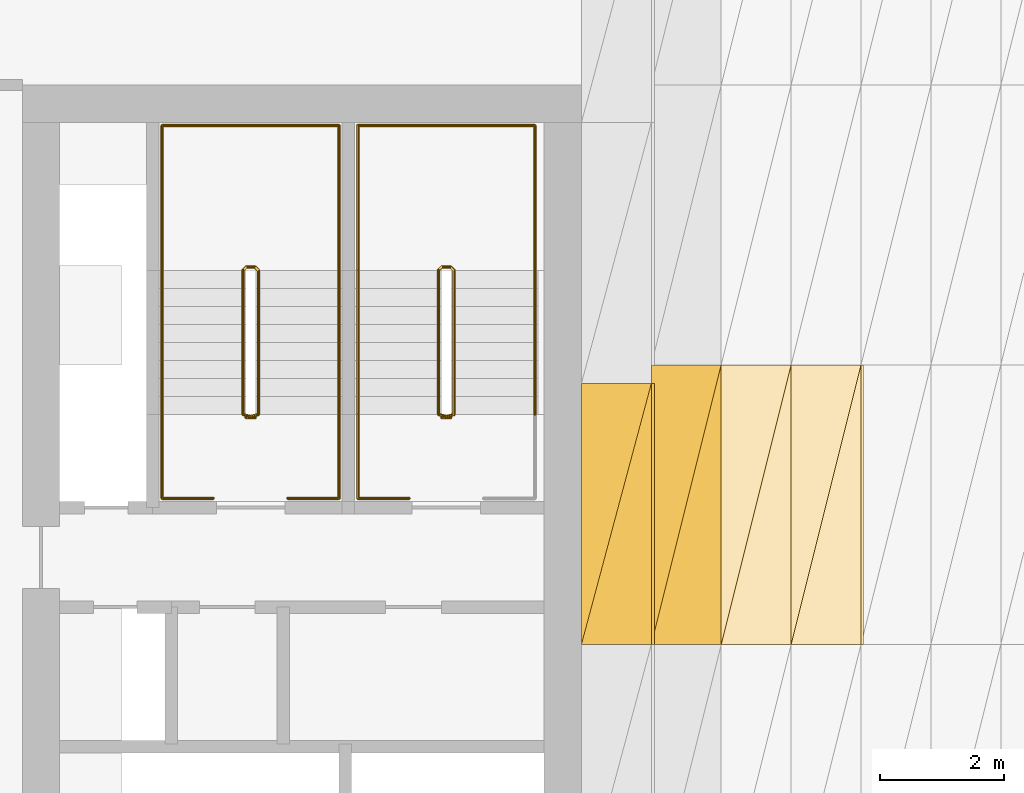
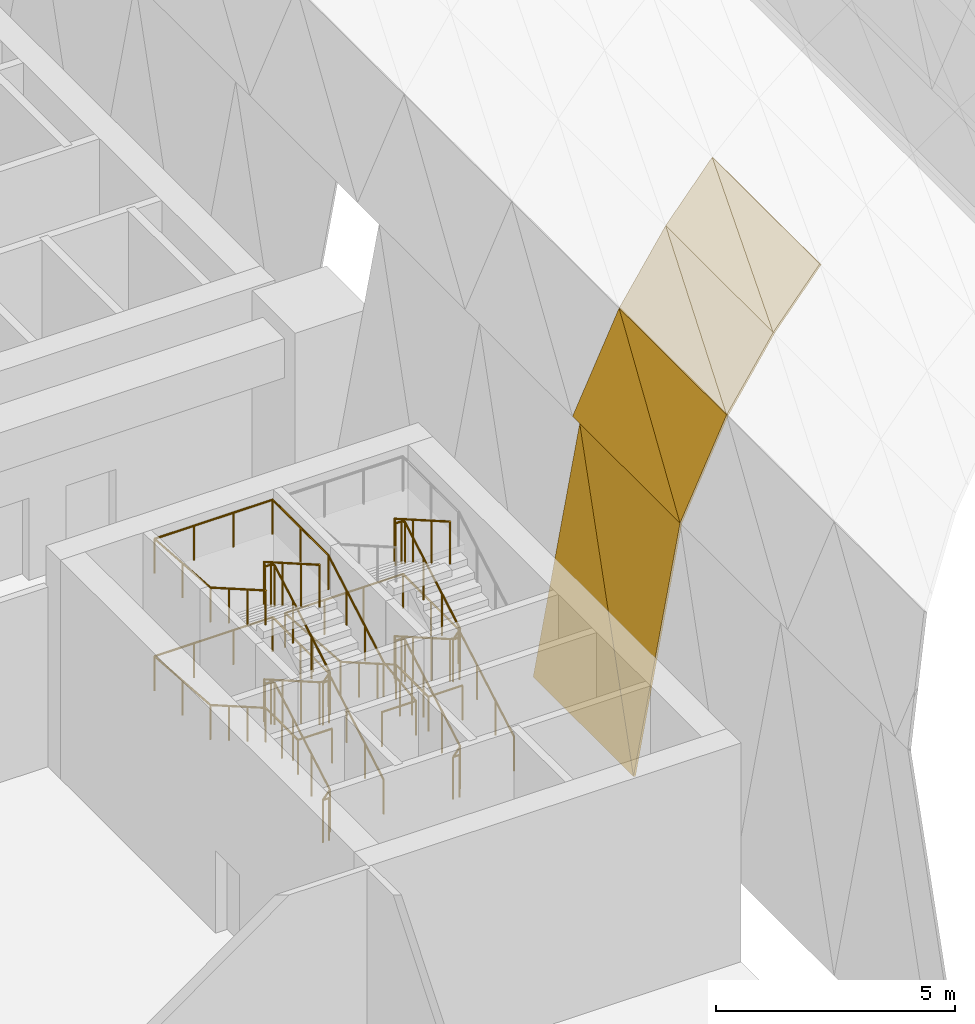
# One storey, part 34 of 46: 8 coverings, 5 railings.
"""IFC4 building model written with IfcOpenShell, lengths in metres."""

import ifcopenshell
import ifcopenshell.guid

model = None  # the IFC model being written
_history = None  # IfcOwnerHistory: only IFC2X3 demands one
_inside = {}  # id of a spatial element -> (the spatial element, [elements in it])
_under = {}  # id of a project, library or spatial element -> (it, [spatial elements below it])
_declared = {}  # id of a project -> (the project, [libraries it declares])
_typed = {}  # id of a type object -> (the type object, [elements of that type])
_made_of = {}  # id of a material, layer set ... -> (it, [elements and type objects made of it])


def new_model(schema):
    """Start an empty IFC model of exactly this schema.

    Asked for "IFC4X3", IfcOpenShell would pick the latest addendum, in which some entities
    have other attributes; the version numbers below select the first issue.
    IFC2X3 requires an IfcOwnerHistory on every rooted entity: one is made here for all.
    """
    global model, _history
    if schema == "IFC4X3":
        model = ifcopenshell.file(schema_version=(4, 3, 0, 0))
    else:
        model = ifcopenshell.file(schema=schema)
    _inside.clear()
    _under.clear()
    _declared.clear()
    _typed.clear()
    _made_of.clear()
    _history = None
    if model.schema == "IFC2X3":
        org = make("IfcOrganization", Name="unknown")
        user = make(
            "IfcPersonAndOrganization",
            ThePerson=make("IfcPerson", FamilyName="unknown"),
            TheOrganization=org,
        )
        app = make(
            "IfcApplication",
            ApplicationDeveloper=org,
            Version="unknown",
            ApplicationFullName="unknown",
            ApplicationIdentifier="unknown",
        )
        _history = make(
            "IfcOwnerHistory",
            OwningUser=user,
            OwningApplication=app,
            ChangeAction="ADDED",
            CreationDate=0,
        )
    return model


def make(cls, **values):
    """One entity of the class cls with the attributes given. An attribute that is None is left unset."""
    return model.create_entity(
        cls, **{name: value for name, value in values.items() if value is not None}
    )


def rooted(cls, **values):
    """An entity with a GlobalId (a new one), such as an element, a storey or a relation."""
    return make(cls, GlobalId=ifcopenshell.guid.new(), OwnerHistory=_history, **values)


def si_unit(unit_type, name, prefix=None):
    """IfcSIUnit, for example si_unit("LENGTHUNIT", "METRE", prefix="MILLI")."""
    return make("IfcSIUnit", UnitType=unit_type, Prefix=prefix, Name=name)


def assignment(units):
    """IfcUnitAssignment: the units of a project."""
    return None if units is None else make("IfcUnitAssignment", Units=units)


def point(xyz):
    """IfcCartesianPoint."""
    return None if xyz is None else make("IfcCartesianPoint", Coordinates=xyz)


def direction(xyz):
    """IfcDirection."""
    return None if xyz is None else make("IfcDirection", DirectionRatios=xyz)


def frame(location, z_axis=None, x_axis=None):
    """IfcAxis2Placement3D, a coordinate frame: its origin and axes. An axis left out is left unset."""
    return make(
        "IfcAxis2Placement3D",
        Location=point(location),
        Axis=direction(z_axis),
        RefDirection=direction(x_axis),
    )


def frame_2d(location, x_axis=None):
    """IfcAxis2Placement2D, a coordinate frame in the plane: its origin and x axis."""
    return make(
        "IfcAxis2Placement2D", Location=point(location), RefDirection=direction(x_axis)
    )


def origin():
    """The frame at (0, 0, 0) with its axes left unset."""
    return frame((0.0, 0.0, 0.0))


def origin_2d():
    """The frame at (0, 0) in the plane with its x axis left unset."""
    return frame_2d((0.0, 0.0))


def place(relative_to, where):
    """IfcLocalPlacement: puts the frame where relative to a parent placement (None: the world)."""
    return make(
        "IfcLocalPlacement", PlacementRelTo=relative_to, RelativePlacement=where
    )


def context(
    kind, dimensions, precision=None, world=None, true_north=None, identifier=None
):
    """IfcGeometricRepresentationContext, for example the 3D "Model" context."""
    return make(
        "IfcGeometricRepresentationContext",
        ContextIdentifier=identifier,
        ContextType=kind,
        CoordinateSpaceDimension=dimensions,
        Precision=precision,
        WorldCoordinateSystem=world,
        TrueNorth=true_north,
    )


def subcontext(parent, identifier, kind, view, scale=None):
    """IfcGeometricRepresentationSubContext, for example "Body" below "Model"."""
    return make(
        "IfcGeometricRepresentationSubContext",
        ContextIdentifier=identifier,
        ContextType=kind,
        ParentContext=parent,
        TargetScale=scale,
        TargetView=view,
    )


def project(units=None, contexts=None):
    """IfcProject with its units and contexts."""
    return rooted(
        "IfcProject",
        Name="project",
        RepresentationContexts=contexts,
        UnitsInContext=assignment(units),
    )


def spatial(cls, under=None, at=None, **own):
    """A site, building, storey or space (cls), placed at a placement, below another one or the project."""
    s = rooted(cls, ObjectPlacement=at, **own)
    if under is not None:
        _under.setdefault(under.id(), (under, []))[1].append(s)
    return s


def polyline(points):
    """IfcPolyline through the points."""
    return make("IfcPolyline", Points=[point(p) for p in points])


def profile(cls, at=None, kind="AREA", **sizes):
    """A parametric profile (cls). Its sizes go by their IFC names, for example OverallWidth=200.0."""
    return make(cls, ProfileType=kind, Position=at, **sizes)


def circle(**sizes):
    """IfcCircleProfileDef."""
    return profile("IfcCircleProfileDef", **sizes)


def outline(outer, holes=None, kind="AREA"):
    """IfcArbitraryClosedProfileDef: a profile drawn as a closed curve; with holes, ...WithVoids."""
    if holes is None:
        return make("IfcArbitraryClosedProfileDef", ProfileType=kind, OuterCurve=outer)
    return make(
        "IfcArbitraryProfileDefWithVoids",
        ProfileType=kind,
        OuterCurve=outer,
        InnerCurves=holes,
    )


def extrude(swept, where, along, depth):
    """IfcExtrudedAreaSolid: the profile swept, set in the frame where, extruded along a direction by depth."""
    return make(
        "IfcExtrudedAreaSolid",
        SweptArea=swept,
        Position=where,
        ExtrudedDirection=direction(along),
        Depth=depth,
    )


def shape(context_of_items, identifier, shape_type, items):
    """IfcShapeRepresentation: the items that make up one representation, for example the "Body"."""
    return make(
        "IfcShapeRepresentation",
        ContextOfItems=context_of_items,
        RepresentationIdentifier=identifier,
        RepresentationType=shape_type,
        Items=items,
    )


def material(Name=None, Category=None):
    """IfcMaterial."""
    return make("IfcMaterial", Name=Name, Category=Category)


def layer(
    of_material, thickness, ventilated=None, Name=None, Category=None, Priority=None
):
    """IfcMaterialLayer: one layer of a wall or slab, of a material (None: an air gap)."""
    return make(
        "IfcMaterialLayer",
        Material=of_material,
        LayerThickness=thickness,
        IsVentilated=ventilated,
        Name=Name,
        Category=Category,
        Priority=Priority,
    )


def layer_set(layers, Name=None):
    """IfcMaterialLayerSet."""
    return make("IfcMaterialLayerSet", MaterialLayers=layers, LayerSetName=Name)


def made_of(thing, what):
    """Note that an element or type object is made of a material, layer set ...; save() writes the relation."""
    if what is not None:
        _made_of.setdefault(what.id(), (what, []))[1].append(thing)
    return thing


def type_object(cls, material=None, **own):
    """A type object (cls), such as IfcWallType, which elements share."""
    return made_of(rooted(cls, **own), material)


def element(
    cls,
    number,
    at=None,
    inside=None,
    cuts=None,
    type_object=None,
    material=None,
    context=None,
    identifier="Body",
    shape_type=None,
    held_by="IfcProductDefinitionShape",
    body=None,
    shapes=None,
    **own,
):
    """One element of the class cls, such as IfcWall. Its Tag is "e" and its number.

    at: its placement. inside: the storey or other place that contains it. cuts: it is an
    opening in that element (IfcRelVoidsElement). A single representation is given by context,
    identifier, shape_type and body (its items); several are given by shapes. held_by: the class
    of the entity that holds the representations. save() writes the other relations.
    """
    e = rooted(cls, Tag="e%d" % number, ObjectPlacement=at, **own)
    if body is not None:
        shapes = [shape(context, identifier, shape_type, body)]
    if shapes is not None:
        e.Representation = make(held_by, Representations=shapes)
    if inside is not None:
        _inside.setdefault(inside.id(), (inside, []))[1].append(e)
    if cuts is not None:
        rooted(
            "IfcRelVoidsElement", RelatingBuildingElement=cuts, RelatedOpeningElement=e
        )
    if type_object is not None:
        _typed.setdefault(type_object.id(), (type_object, []))[1].append(e)
    return made_of(e, material)


def aggregate(whole, parts):
    """IfcRelAggregates: a whole, such as a stair, and the parts it consists of."""
    return rooted("IfcRelAggregates", RelatingObject=whole, RelatedObjects=parts)


def save(model, path):
    """Write the relations noted so far, then the file.

    IfcRelAggregates (storeys below a building ...), IfcRelContainedInSpatialStructure (elements
    in a storey), IfcRelDefinesByType, IfcRelAssociatesMaterial and IfcRelDeclares: one each for
    every whole, place, type object, material and project.
    """
    for whole, parts in _under.values():
        aggregate(whole, parts)
    for where, things in _inside.values():
        rooted(
            "IfcRelContainedInSpatialStructure",
            RelatedElements=things,
            RelatingStructure=where,
        )
    for kind, things in _typed.values():
        rooted("IfcRelDefinesByType", RelatedObjects=things, RelatingType=kind)
    for what, things in _made_of.values():
        rooted("IfcRelAssociatesMaterial", RelatedObjects=things, RelatingMaterial=what)
    for by, libraries in _declared.values():
        rooted("IfcRelDeclares", RelatingContext=by, RelatedDefinitions=libraries)
    model.write(path)


model = new_model("IFC4")

# Units and contexts
model_context = context("Model", 3, precision=1e-05, world=origin(), true_north=direction((0.0, 1.0)))
body_context = subcontext(model_context, "Body", "Model", "MODEL_VIEW")
ifc_project = project(units=[si_unit("LENGTHUNIT", "METRE"), si_unit("AREAUNIT", "SQUARE_METRE"), si_unit("VOLUMEUNIT", "CUBIC_METRE"), si_unit("PLANEANGLEUNIT", "RADIAN"), si_unit("MASSUNIT", "GRAM", prefix="KILO")], contexts=[model_context])

# Site, building, storey
site_placement = place(None, origin())
site = spatial("IfcSite", under=ifc_project, at=site_placement, CompositionType="ELEMENT")
building_placement = place(site_placement, origin())
building = spatial("IfcBuilding", under=site, at=building_placement, Name="Tessera Arch", CompositionType="ELEMENT")
storey_placement = place(building_placement, frame((0.0, 0.0, 8.0)))
storey = spatial("IfcBuildingStorey", under=building, at=storey_placement, Name="L01", CompositionType="ELEMENT", Elevation=8.0)

# Coverings
ifc_material_1 = material(Name="Aluminium cladding pale metal anodised", Category="aluminium")
ifc_layer = layer(ifc_material_1, 0.050048828125)
ifc_layer_set = layer_set([ifc_layer], Name="Arch soffit panel")
covering_type = type_object("IfcCoveringType", Name="Arch soffit panel", PredefinedType="CLADDING", material=ifc_layer_set)
covering_1_placement = place(storey_placement, frame((18.0, 13.5, 2.0), z_axis=(-0.98331706381, 0.0, 0.181899840628), x_axis=(0.181899840628, 0.0, 0.98331706381)))
element("IfcCovering", 1, at=covering_1_placement, inside=storey, type_object=covering_type, Name="Arch soffit panel 1-4-1", PredefinedType="CLADDING", context=body_context, shape_type="SweptSolid", body=[
    extrude(outline(polyline([(0.0, 0.0), (6.184722296170829, 0.0), (6.184722296170829, 4.199951171875), (0.0, 0.0)])), origin(), (0.0, 0.0, -1.0), 0.050048828125),
])
covering_2_placement = place(storey_placement, frame((18.0, 13.5, 2.0), z_axis=(-0.98331706381, 0.0, 0.181899840628), x_axis=(0.150481805158, 0.561792207927, 0.81347694585)))
element("IfcCovering", 2, at=covering_2_placement, inside=storey, type_object=covering_type, Name="Arch soffit panel 1-4-2", PredefinedType="CLADDING", context=body_context, shape_type="SweptSolid", body=[
    extrude(outline(polyline([(0.0, 0.0), (7.475986873108242, 4.440892098500626e-16), (2.3594998420322653, 3.474528794179709), (0.0, 0.0)])), origin(), (0.0, 0.0, -1.0), 0.050048828125),
])
covering_3_placement = place(storey_placement, frame((19.125, 13.5, 8.08154296875), z_axis=(-0.903430696756, 0.0, 0.428734155577), x_axis=(0.428734155577, 0.0, 0.903430696756)))
element("IfcCovering", 3, at=covering_3_placement, inside=storey, type_object=covering_type, Name="Arch soffit panel 2-4-1", PredefinedType="CLADDING", context=body_context, shape_type="SweptSolid", body=[
    extrude(outline(polyline([(0.0, 0.0), (2.624003675391368, 0.0), (2.624003675391368, 4.500000000000001), (0.0, 0.0)])), origin(), (0.0, 0.0, -1.0), 0.050048828125),
])
covering_4_placement = place(storey_placement, frame((19.125, 13.5, 8.08154296875), z_axis=(-0.903430696756, 0.0, 0.428734155577), x_axis=(0.215965533365, 0.863862133459, 0.455083621739)))
element("IfcCovering", 4, at=covering_4_placement, inside=storey, type_object=covering_type, Name="Arch soffit panel 2-4-2", PredefinedType="CLADDING", context=body_context, shape_type="SweptSolid", body=[
    extrude(outline(polyline([(0.0, 0.0), (5.209164548031422, 0.0), (3.887379600564281, 2.2667774132271337), (0.0, 0.0)])), origin(), (0.0, 0.0, -1.0), 0.050048828125),
])
covering_5_placement = place(storey_placement, frame((20.25, 13.5, 10.4521484375), z_axis=(-0.836058150895, 0.0, 0.548640837272), x_axis=(0.548640837272, 0.0, 0.836058150895)))
element("IfcCovering", 5, at=covering_5_placement, inside=storey, type_object=covering_type, Name="Arch soffit panel 3-4-1", PredefinedType="CLADDING", context=body_context, shape_type="SweptSolid", body=[
    extrude(outline(polyline([(0.0, 0.0), (2.050521805110356, 0.0), (2.050521805110356, 4.500000000000001), (0.0, 0.0)])), origin(), (0.0, 0.0, -1.0), 0.050048828125),
])
covering_6_placement = place(storey_placement, frame((20.25, 13.5, 10.4521484375), z_axis=(-0.836058150895, 0.0, 0.548640837272), x_axis=(0.227495016996, 0.909980067983, 0.346673179111)))
element("IfcCovering", 6, at=covering_6_placement, inside=storey, type_object=covering_type, Name="Arch soffit panel 3-4-2", PredefinedType="CLADDING", context=body_context, shape_type="SweptSolid", body=[
    extrude(outline(polyline([(0.0, 0.0), (4.945163260523664, 0.0), (4.094910305924995, 1.8659339716156267), (0.0, 0.0)])), origin(), (0.0, 0.0, -1.0), 0.050048828125),
])
covering_7_placement = place(storey_placement, frame((21.375, 13.5, 12.16650390625), z_axis=(-0.769435590456, 0.0, 0.638724410164), x_axis=(0.638724410164, 0.0, 0.769435590456)))
element("IfcCovering", 7, at=covering_7_placement, inside=storey, type_object=covering_type, Name="Arch soffit panel 4-4-1", PredefinedType="CLADDING", context=body_context, shape_type="SweptSolid", body=[
    extrude(outline(polyline([(0.0, 0.0), (1.7613230089496987, 0.0), (1.7613230089496987, 4.5), (0.0, 0.0)])), origin(), (0.0, 0.0, -1.0), 0.050048828125),
])
covering_8_placement = place(storey_placement, frame((21.375, 13.5, 12.16650390625), z_axis=(-0.769435590456, 0.0, 0.638724410164), x_axis=(0.232802733554, 0.931210934214, 0.280444438793)))
element("IfcCovering", 8, at=covering_8_placement, inside=storey, type_object=covering_type, Name="Arch soffit panel 4-4-2", PredefinedType="CLADDING", context=body_context, shape_type="SweptSolid", body=[
    extrude(outline(polyline([(0.0, 0.0), (4.832417484226257, 2.220446049250313e-16), (4.190449203964491, 1.640163244617246), (0.0, 0.0)])), origin(), (0.0, 0.0, -1.0), 0.050048828125),
])

# Railings
ifc_material_2 = material(Name="Painted steel balustrade", Category="steel")
railing_type_1 = type_object("IfcRailingType", Name="Stair guard 1100", PredefinedType="GUARDRAIL", material=ifc_material_2)
railing_1_placement = place(storey_placement, frame((15.89990234375, 17.14990234375, 0.0)))
element("IfcRailing", 9, at=railing_1_placement, inside=storey, type_object=railing_type_1, Name="L01 S4a stair guard 1", PredefinedType="GUARDRAIL", context=body_context, shape_type="SweptSolid", body=[
    extrude(circle(Radius=0.02392578125, at=origin_2d()), frame((0.00390625, 0.0, 1.076171875), z_axis=(-1.0, 0.0, 0.0), x_axis=(0.0, -1.0, 0.0)), (0.0, 0.0, 1.0), 0.157958984375),
    extrude(circle(Radius=0.02392578125, at=origin_2d()), frame((-0.15283203125, -0.000732421875, 1.073486328125), z_axis=(0.754182335027, 0.188775798145, 0.628945707965), x_axis=(-0.242814311512, 0.970072785993, 0.0)), (0.0, 0.0, 1.0), 0.273193359375),
    extrude(circle(Radius=0.02392578125, at=origin_2d()), frame((0.050048828125, 0.046630859375, 1.24072265625), z_axis=(0.0, 0.867033425039, 0.498249977285), x_axis=(-1.0, 0.0, 0.0)), (0.0, 0.0, 1.0), 2.683837890625),
    extrude(circle(Radius=0.02392578125, at=origin_2d()), frame((0.052978515625, 2.3671875, 2.576171875), z_axis=(-0.707106781187, 0.707106781187, 0.0), x_axis=(-0.707106781187, -0.707106781187, 0.0)), (0.0, 0.0, 1.0), 0.078857421875),
    extrude(circle(Radius=0.02392578125, at=origin_2d()), frame((0.00390625, 2.420166015625, 2.576171875), z_axis=(-1.0, 0.0, 0.0), x_axis=(0.0, -1.0, 0.0)), (0.0, 0.0, 1.0), 0.157958984375),
    extrude(circle(Radius=0.02392578125, at=origin_2d()), frame((-0.148681640625, 2.42138671875, 2.572265625), z_axis=(-0.27628659633, -0.27628659633, 0.920506074601), x_axis=(0.707106781187, -0.707106781187, 0.0)), (0.0, 0.0, 1.0), 0.189208984375),
    extrude(circle(Radius=0.02392578125, at=origin_2d()), frame((-0.199951171875, 2.37353515625, 2.74072265625), z_axis=(0.0, -0.867033425039, 0.498249977285), x_axis=(1.0, 0.0, 0.0)), (0.0, 0.0, 1.0), 2.683837890625),
    extrude(circle(Radius=0.02392578125, at=origin_2d()), frame((-0.203857421875, 0.051025390625, 4.076171875), z_axis=(0.970072785993, -0.242814311512, 0.0), x_axis=(0.242814311512, 0.970072785993, 0.0)), (0.0, 0.0, 1.0), 0.214111328125),
    extrude(circle(Radius=0.02392578125, at=origin_2d()), frame((0.00390625, 0.0, 4.076171875), z_axis=(-1.0, 0.0, 0.0), x_axis=(0.0, -1.0, 0.0)), (0.0, 0.0, 1.0), 0.157958984375),
    extrude(circle(Radius=0.02392578125, at=origin_2d()), frame((-0.15283203125, -0.000732421875, 4.073486328125), z_axis=(0.754182335027, 0.188775798145, 0.628945707965), x_axis=(-0.242814311512, 0.970072785993, 0.0)), (0.0, 0.0, 1.0), 0.273193359375),
    extrude(circle(Radius=0.02392578125, at=origin_2d()), frame((0.050048828125, 0.046630859375, 4.24072265625), z_axis=(0.0, 0.867033425039, 0.498249977285), x_axis=(-1.0, 0.0, 0.0)), (0.0, 0.0, 1.0), 2.683837890625),
    extrude(circle(Radius=0.02392578125, at=origin_2d()), frame((0.052978515625, 2.3671875, 5.576171875), z_axis=(-0.707106781187, 0.707106781187, 0.0), x_axis=(-0.707106781187, -0.707106781187, 0.0)), (0.0, 0.0, 1.0), 0.078857421875),
    extrude(circle(Radius=0.02392578125, at=origin_2d()), frame((0.00390625, 2.420166015625, 5.576171875), z_axis=(-1.0, 0.0, 0.0), x_axis=(0.0, -1.0, 0.0)), (0.0, 0.0, 1.0), 0.157958984375),
    extrude(circle(Radius=0.02392578125, at=origin_2d()), frame((-0.148681640625, 2.42138671875, 5.572265625), z_axis=(-0.27628659633, -0.27628659633, 0.920506074601), x_axis=(0.707106781187, -0.707106781187, 0.0)), (0.0, 0.0, 1.0), 0.189208984375),
    extrude(circle(Radius=0.02392578125, at=origin_2d()), frame((-0.199951171875, 2.37353515625, 5.74072265625), z_axis=(0.0, -0.867033425039, 0.498249977285), x_axis=(1.0, 0.0, 0.0)), (0.0, 0.0, 1.0), 2.683837890625),
    extrude(circle(Radius=0.02099609375, at=origin_2d()), origin(), (0.0, 0.0, 1.0), 1.06396484375),
    extrude(circle(Radius=0.02099609375, at=origin_2d()), frame((-0.14990234375, 0.0, 0.0)), (0.0, 0.0, 1.0), 1.06396484375),
    extrude(circle(Radius=0.02099609375, at=origin_2d()), frame((0.050048828125, 0.050048828125, 0.166748046875)), (0.0, 0.0, 1.0), 1.06396484375),
    extrude(circle(Radius=0.02099609375, at=origin_2d()), frame((0.050048828125, 0.823486328125, 0.611083984375)), (0.0, 0.0, 1.0), 1.06396484375),
    extrude(circle(Radius=0.02099609375, at=origin_2d()), frame((0.050048828125, 1.5966796875, 1.0556640625)), (0.0, 0.0, 1.0), 1.06396484375),
    extrude(circle(Radius=0.02099609375, at=origin_2d()), frame((0.050048828125, 2.3701171875, 1.5)), (0.0, 0.0, 1.0), 1.06396484375),
    extrude(circle(Radius=0.02099609375, at=origin_2d()), frame((0.0, 2.420166015625, 1.5)), (0.0, 0.0, 1.0), 1.06396484375),
    extrude(circle(Radius=0.02099609375, at=origin_2d()), frame((-0.14990234375, 2.420166015625, 1.5)), (0.0, 0.0, 1.0), 1.06396484375),
    extrude(circle(Radius=0.02099609375, at=origin_2d()), frame((-0.199951171875, 2.3701171875, 1.666748046875)), (0.0, 0.0, 1.0), 1.06396484375),
    extrude(circle(Radius=0.02099609375, at=origin_2d()), frame((-0.199951171875, 1.5966796875, 2.111083984375)), (0.0, 0.0, 1.0), 1.06396484375),
    extrude(circle(Radius=0.02099609375, at=origin_2d()), frame((-0.199951171875, 0.823486328125, 2.5556640625)), (0.0, 0.0, 1.0), 1.06396484375),
    extrude(circle(Radius=0.02099609375, at=origin_2d()), frame((-0.199951171875, 0.050048828125, 3.0)), (0.0, 0.0, 1.0), 1.06396484375),
    extrude(circle(Radius=0.02099609375, at=origin_2d()), frame((0.0, 0.0, 3.0)), (0.0, 0.0, 1.0), 1.06396484375),
    extrude(circle(Radius=0.02099609375, at=origin_2d()), frame((-0.14990234375, 0.0, 3.0)), (0.0, 0.0, 1.0), 1.06396484375),
    extrude(circle(Radius=0.02099609375, at=origin_2d()), frame((0.050048828125, 0.050048828125, 3.166748046875)), (0.0, 0.0, 1.0), 1.06396484375),
    extrude(circle(Radius=0.02099609375, at=origin_2d()), frame((0.050048828125, 0.823486328125, 3.611083984375)), (0.0, 0.0, 1.0), 1.06396484375),
    extrude(circle(Radius=0.02099609375, at=origin_2d()), frame((0.050048828125, 1.5966796875, 4.0556640625)), (0.0, 0.0, 1.0), 1.06396484375),
    extrude(circle(Radius=0.02099609375, at=origin_2d()), frame((0.050048828125, 2.3701171875, 4.5)), (0.0, 0.0, 1.0), 1.06396484375),
    extrude(circle(Radius=0.02099609375, at=origin_2d()), frame((0.0, 2.420166015625, 4.5)), (0.0, 0.0, 1.0), 1.06396484375),
    extrude(circle(Radius=0.02099609375, at=origin_2d()), frame((-0.14990234375, 2.420166015625, 4.5)), (0.0, 0.0, 1.0), 1.06396484375),
    extrude(circle(Radius=0.02099609375, at=origin_2d()), frame((-0.199951171875, 2.3701171875, 4.666748046875)), (0.0, 0.0, 1.0), 1.06396484375),
    extrude(circle(Radius=0.02099609375, at=origin_2d()), frame((-0.199951171875, 1.5966796875, 5.111083984375)), (0.0, 0.0, 1.0), 1.06396484375),
    extrude(circle(Radius=0.02099609375, at=origin_2d()), frame((-0.199951171875, 0.823486328125, 5.5556640625)), (0.0, 0.0, 1.0), 1.06396484375),
    extrude(circle(Radius=0.02099609375, at=origin_2d()), frame((-0.199951171875, 0.050048828125, 6.0)), (0.0, 0.0, 1.0), 1.06396484375),
])
railing_2_placement = place(storey_placement, frame((12.75, 17.14990234375, 0.0)))
element("IfcRailing", 10, at=railing_2_placement, inside=storey, type_object=railing_type_1, Name="L01 S4b stair guard 1", PredefinedType="GUARDRAIL", context=body_context, shape_type="SweptSolid", body=[
    extrude(circle(Radius=0.02392578125, at=origin_2d()), frame((0.00390625, 0.0, 1.076171875), z_axis=(-1.0, 0.0, 0.0), x_axis=(0.0, -1.0, 0.0)), (0.0, 0.0, 1.0), 0.157958984375),
    extrude(circle(Radius=0.02392578125, at=origin_2d()), frame((-0.15283203125, -0.000732421875, 1.073486328125), z_axis=(0.754182335027, 0.188775798145, 0.628945707965), x_axis=(-0.242814311512, 0.970072785993, 0.0)), (0.0, 0.0, 1.0), 0.273193359375),
    extrude(circle(Radius=0.02392578125, at=origin_2d()), frame((0.050048828125, 0.046630859375, 1.24072265625), z_axis=(0.0, 0.867033425039, 0.498249977285), x_axis=(-1.0, 0.0, 0.0)), (0.0, 0.0, 1.0), 2.683837890625),
    extrude(circle(Radius=0.02392578125, at=origin_2d()), frame((0.052978515625, 2.3671875, 2.576171875), z_axis=(-0.707106781187, 0.707106781187, 0.0), x_axis=(-0.707106781187, -0.707106781187, 0.0)), (0.0, 0.0, 1.0), 0.078857421875),
    extrude(circle(Radius=0.02392578125, at=origin_2d()), frame((0.00390625, 2.420166015625, 2.576171875), z_axis=(-1.0, 0.0, 0.0), x_axis=(0.0, -1.0, 0.0)), (0.0, 0.0, 1.0), 0.157958984375),
    extrude(circle(Radius=0.02392578125, at=origin_2d()), frame((-0.148681640625, 2.42138671875, 2.572265625), z_axis=(-0.27628659633, -0.27628659633, 0.920506074601), x_axis=(0.707106781187, -0.707106781187, 0.0)), (0.0, 0.0, 1.0), 0.189208984375),
    extrude(circle(Radius=0.02392578125, at=origin_2d()), frame((-0.199951171875, 2.37353515625, 2.74072265625), z_axis=(0.0, -0.867033425039, 0.498249977285), x_axis=(1.0, 0.0, 0.0)), (0.0, 0.0, 1.0), 2.683837890625),
    extrude(circle(Radius=0.02392578125, at=origin_2d()), frame((-0.203857421875, 0.051025390625, 4.076171875), z_axis=(0.970072785993, -0.242814311512, 0.0), x_axis=(0.242814311512, 0.970072785993, 0.0)), (0.0, 0.0, 1.0), 0.214111328125),
    extrude(circle(Radius=0.02392578125, at=origin_2d()), frame((0.00390625, 0.0, 4.076171875), z_axis=(-1.0, 0.0, 0.0), x_axis=(0.0, -1.0, 0.0)), (0.0, 0.0, 1.0), 0.157958984375),
    extrude(circle(Radius=0.02392578125, at=origin_2d()), frame((-0.15283203125, -0.000732421875, 4.073486328125), z_axis=(0.754182335027, 0.188775798145, 0.628945707965), x_axis=(-0.242814311512, 0.970072785993, 0.0)), (0.0, 0.0, 1.0), 0.273193359375),
    extrude(circle(Radius=0.02392578125, at=origin_2d()), frame((0.050048828125, 0.046630859375, 4.24072265625), z_axis=(0.0, 0.867033425039, 0.498249977285), x_axis=(-1.0, 0.0, 0.0)), (0.0, 0.0, 1.0), 2.683837890625),
    extrude(circle(Radius=0.02392578125, at=origin_2d()), frame((0.052978515625, 2.3671875, 5.576171875), z_axis=(-0.707106781187, 0.707106781187, 0.0), x_axis=(-0.707106781187, -0.707106781187, 0.0)), (0.0, 0.0, 1.0), 0.078857421875),
    extrude(circle(Radius=0.02392578125, at=origin_2d()), frame((0.00390625, 2.420166015625, 5.576171875), z_axis=(-1.0, 0.0, 0.0), x_axis=(0.0, -1.0, 0.0)), (0.0, 0.0, 1.0), 0.157958984375),
    extrude(circle(Radius=0.02392578125, at=origin_2d()), frame((-0.148681640625, 2.42138671875, 5.572265625), z_axis=(-0.27628659633, -0.27628659633, 0.920506074601), x_axis=(0.707106781187, -0.707106781187, 0.0)), (0.0, 0.0, 1.0), 0.189208984375),
    extrude(circle(Radius=0.02392578125, at=origin_2d()), frame((-0.199951171875, 2.37353515625, 5.74072265625), z_axis=(0.0, -0.867033425039, 0.498249977285), x_axis=(1.0, 0.0, 0.0)), (0.0, 0.0, 1.0), 2.683837890625),
    extrude(circle(Radius=0.02099609375, at=origin_2d()), origin(), (0.0, 0.0, 1.0), 1.06396484375),
    extrude(circle(Radius=0.02099609375, at=origin_2d()), frame((-0.14990234375, 0.0, 0.0)), (0.0, 0.0, 1.0), 1.06396484375),
    extrude(circle(Radius=0.02099609375, at=origin_2d()), frame((0.050048828125, 0.050048828125, 0.166748046875)), (0.0, 0.0, 1.0), 1.06396484375),
    extrude(circle(Radius=0.02099609375, at=origin_2d()), frame((0.050048828125, 0.823486328125, 0.611083984375)), (0.0, 0.0, 1.0), 1.06396484375),
    extrude(circle(Radius=0.02099609375, at=origin_2d()), frame((0.050048828125, 1.5966796875, 1.0556640625)), (0.0, 0.0, 1.0), 1.06396484375),
    extrude(circle(Radius=0.02099609375, at=origin_2d()), frame((0.050048828125, 2.3701171875, 1.5)), (0.0, 0.0, 1.0), 1.06396484375),
    extrude(circle(Radius=0.02099609375, at=origin_2d()), frame((0.0, 2.420166015625, 1.5)), (0.0, 0.0, 1.0), 1.06396484375),
    extrude(circle(Radius=0.02099609375, at=origin_2d()), frame((-0.14990234375, 2.420166015625, 1.5)), (0.0, 0.0, 1.0), 1.06396484375),
    extrude(circle(Radius=0.02099609375, at=origin_2d()), frame((-0.199951171875, 2.3701171875, 1.666748046875)), (0.0, 0.0, 1.0), 1.06396484375),
    extrude(circle(Radius=0.02099609375, at=origin_2d()), frame((-0.199951171875, 1.5966796875, 2.111083984375)), (0.0, 0.0, 1.0), 1.06396484375),
    extrude(circle(Radius=0.02099609375, at=origin_2d()), frame((-0.199951171875, 0.823486328125, 2.5556640625)), (0.0, 0.0, 1.0), 1.06396484375),
    extrude(circle(Radius=0.02099609375, at=origin_2d()), frame((-0.199951171875, 0.050048828125, 3.0)), (0.0, 0.0, 1.0), 1.06396484375),
    extrude(circle(Radius=0.02099609375, at=origin_2d()), frame((0.0, 0.0, 3.0)), (0.0, 0.0, 1.0), 1.06396484375),
    extrude(circle(Radius=0.02099609375, at=origin_2d()), frame((-0.14990234375, 0.0, 3.0)), (0.0, 0.0, 1.0), 1.06396484375),
    extrude(circle(Radius=0.02099609375, at=origin_2d()), frame((0.050048828125, 0.050048828125, 3.166748046875)), (0.0, 0.0, 1.0), 1.06396484375),
    extrude(circle(Radius=0.02099609375, at=origin_2d()), frame((0.050048828125, 0.823486328125, 3.611083984375)), (0.0, 0.0, 1.0), 1.06396484375),
    extrude(circle(Radius=0.02099609375, at=origin_2d()), frame((0.050048828125, 1.5966796875, 4.0556640625)), (0.0, 0.0, 1.0), 1.06396484375),
    extrude(circle(Radius=0.02099609375, at=origin_2d()), frame((0.050048828125, 2.3701171875, 4.5)), (0.0, 0.0, 1.0), 1.06396484375),
    extrude(circle(Radius=0.02099609375, at=origin_2d()), frame((0.0, 2.420166015625, 4.5)), (0.0, 0.0, 1.0), 1.06396484375),
    extrude(circle(Radius=0.02099609375, at=origin_2d()), frame((-0.14990234375, 2.420166015625, 4.5)), (0.0, 0.0, 1.0), 1.06396484375),
    extrude(circle(Radius=0.02099609375, at=origin_2d()), frame((-0.199951171875, 2.3701171875, 4.666748046875)), (0.0, 0.0, 1.0), 1.06396484375),
    extrude(circle(Radius=0.02099609375, at=origin_2d()), frame((-0.199951171875, 1.5966796875, 5.111083984375)), (0.0, 0.0, 1.0), 1.06396484375),
    extrude(circle(Radius=0.02099609375, at=origin_2d()), frame((-0.199951171875, 0.823486328125, 5.5556640625)), (0.0, 0.0, 1.0), 1.06396484375),
    extrude(circle(Radius=0.02099609375, at=origin_2d()), frame((-0.199951171875, 0.050048828125, 6.0)), (0.0, 0.0, 1.0), 1.06396484375),
])
ifc_material_3 = material(Name="Painted steel handrail", Category="steel")
railing_type_2 = type_object("IfcRailingType", Name="Stair handrail 900", PredefinedType="HANDRAIL", material=ifc_material_3)
railing_3_placement = place(storey_placement, frame((17.25, 17.199951171875, 0.166748046875)))
element("IfcRailing", 11, at=railing_3_placement, inside=storey, type_object=railing_type_2, Name="L01 S4a stair handrail", PredefinedType="HANDRAIL", context=body_context, shape_type="SweptSolid", body=[
    extrude(circle(Radius=0.02392578125, at=origin_2d()), frame((0.0, -0.00341796875, 0.873779296875), z_axis=(0.0, 0.867033425039, 0.498249977285), x_axis=(-1.0, 0.0, 0.0)), (0.0, 0.0, 1.0), 2.683837890625),
    extrude(circle(Radius=0.02392578125, at=origin_2d()), frame((0.0, 2.316162109375, 2.208984375), z_axis=(0.0, 1.0, 0.0), x_axis=(-1.0, 0.0, 0.0)), (0.0, 0.0, 1.0), 2.338134765625),
    extrude(circle(Radius=0.02392578125, at=origin_2d()), frame((0.00390625, 4.650146484375, 2.208984375), z_axis=(-1.0, 0.0, 0.0), x_axis=(0.0, -1.0, 0.0)), (0.0, 0.0, 1.0), 2.858154296875),
    extrude(circle(Radius=0.02392578125, at=origin_2d()), frame((-2.85009765625, 4.654052734375, 2.208740234375), z_axis=(0.0, -0.99744914168, 0.071380738031), x_axis=(1.0, 0.0, 0.0)), (0.0, 0.0, 1.0), 2.343994140625),
    extrude(circle(Radius=0.02392578125, at=origin_2d()), frame((-2.85009765625, 2.323486328125, 2.373779296875), z_axis=(0.0, -0.867033425039, 0.498249977285), x_axis=(1.0, 0.0, 0.0)), (0.0, 0.0, 1.0), 2.683837890625),
    extrude(circle(Radius=0.02392578125, at=origin_2d()), frame((-2.85009765625, 0.00390625, 3.708984375), z_axis=(0.0, -1.0, 0.0), x_axis=(1.0, 0.0, 0.0)), (0.0, 0.0, 1.0), 1.35791015625),
    extrude(circle(Radius=0.02392578125, at=origin_2d()), frame((-2.85400390625, -1.349853515625, 3.708984375), z_axis=(1.0, 0.0, 0.0), x_axis=(0.0, 1.0, 0.0)), (0.0, 0.0, 1.0), 0.833251953125),
    extrude(circle(Radius=0.02099609375, at=origin_2d()), origin(), (0.0, 0.0, 1.0), 0.86376953125),
    extrude(circle(Radius=0.02099609375, at=origin_2d()), frame((0.0, 0.7734375, 0.4443359375)), (0.0, 0.0, 1.0), 0.86376953125),
    extrude(circle(Radius=0.02099609375, at=origin_2d()), frame((0.0, 1.546630859375, 0.888916015625)), (0.0, 0.0, 1.0), 0.86376953125),
    extrude(circle(Radius=0.02099609375, at=origin_2d()), frame((0.0, 2.320068359375, 1.333251953125)), (0.0, 0.0, 1.0), 0.86376953125),
    extrude(circle(Radius=0.02099609375, at=origin_2d()), frame((0.0, 3.485107421875, 1.333251953125)), (0.0, 0.0, 1.0), 0.86376953125),
    extrude(circle(Radius=0.02099609375, at=origin_2d()), frame((0.0, 4.650146484375, 1.333251953125)), (0.0, 0.0, 1.0), 0.86376953125),
    extrude(circle(Radius=0.02099609375, at=origin_2d()), frame((-0.949951171875, 4.650146484375, 1.333251953125)), (0.0, 0.0, 1.0), 0.86376953125),
    extrude(circle(Radius=0.02099609375, at=origin_2d()), frame((-1.900146484375, 4.650146484375, 1.333251953125)), (0.0, 0.0, 1.0), 0.86376953125),
    extrude(circle(Radius=0.02099609375, at=origin_2d()), frame((-2.85009765625, 4.650146484375, 1.333251953125)), (0.0, 0.0, 1.0), 0.86376953125),
    extrude(circle(Radius=0.02099609375, at=origin_2d()), frame((-2.85009765625, 3.485107421875, 1.41650390625)), (0.0, 0.0, 1.0), 0.86376953125),
    extrude(circle(Radius=0.02099609375, at=origin_2d()), frame((-2.85009765625, 2.320068359375, 1.5)), (0.0, 0.0, 1.0), 0.86376953125),
    extrude(circle(Radius=0.02099609375, at=origin_2d()), frame((-2.85009765625, 1.546630859375, 1.9443359375)), (0.0, 0.0, 1.0), 0.86376953125),
    extrude(circle(Radius=0.02099609375, at=origin_2d()), frame((-2.85009765625, 0.7734375, 2.388916015625)), (0.0, 0.0, 1.0), 0.86376953125),
    extrude(circle(Radius=0.02099609375, at=origin_2d()), frame((-2.85009765625, 0.0, 2.833251953125)), (0.0, 0.0, 1.0), 0.86376953125),
    extrude(circle(Radius=0.02099609375, at=origin_2d()), frame((-2.85009765625, -0.6748046875, 2.833251953125)), (0.0, 0.0, 1.0), 0.86376953125),
    extrude(circle(Radius=0.02099609375, at=origin_2d()), frame((-2.85009765625, -1.349853515625, 2.833251953125)), (0.0, 0.0, 1.0), 0.86376953125),
    extrude(circle(Radius=0.02099609375, at=origin_2d()), frame((-2.02490234375, -1.349853515625, 2.833251953125)), (0.0, 0.0, 1.0), 0.86376953125),
])
railing_4_placement = place(storey_placement, frame((14.10009765625, 17.199951171875, 0.166748046875)))
element("IfcRailing", 12, at=railing_4_placement, inside=storey, type_object=railing_type_2, Name="L01 S4b stair handrail", PredefinedType="HANDRAIL", context=body_context, shape_type="SweptSolid", body=[
    extrude(circle(Radius=0.02392578125, at=origin_2d()), frame((0.0, -0.00341796875, 0.873779296875), z_axis=(0.0, 0.867033425039, 0.498249977285), x_axis=(-1.0, 0.0, 0.0)), (0.0, 0.0, 1.0), 2.683837890625),
    extrude(circle(Radius=0.02392578125, at=origin_2d()), frame((0.0, 2.316162109375, 2.208984375), z_axis=(0.0, 1.0, 0.0), x_axis=(-1.0, 0.0, 0.0)), (0.0, 0.0, 1.0), 2.338134765625),
    extrude(circle(Radius=0.02392578125, at=origin_2d()), frame((0.00390625, 4.650146484375, 2.208984375), z_axis=(-1.0, 0.0, 0.0), x_axis=(0.0, -1.0, 0.0)), (0.0, 0.0, 1.0), 2.858154296875),
    extrude(circle(Radius=0.02392578125, at=origin_2d()), frame((-2.85009765625, 4.654052734375, 2.208740234375), z_axis=(0.0, -0.99744914168, 0.071380738031), x_axis=(1.0, 0.0, 0.0)), (0.0, 0.0, 1.0), 2.343994140625),
    extrude(circle(Radius=0.02392578125, at=origin_2d()), frame((-2.85009765625, 2.323486328125, 2.373779296875), z_axis=(0.0, -0.867033425039, 0.498249977285), x_axis=(1.0, 0.0, 0.0)), (0.0, 0.0, 1.0), 2.683837890625),
    extrude(circle(Radius=0.02392578125, at=origin_2d()), frame((-2.85009765625, 0.00390625, 3.708984375), z_axis=(0.0, -1.0, 0.0), x_axis=(1.0, 0.0, 0.0)), (0.0, 0.0, 1.0), 1.35791015625),
    extrude(circle(Radius=0.02392578125, at=origin_2d()), frame((-2.85400390625, -1.349853515625, 3.708984375), z_axis=(1.0, 0.0, 0.0), x_axis=(0.0, 1.0, 0.0)), (0.0, 0.0, 1.0), 0.8330078125),
    extrude(circle(Radius=0.02099609375, at=origin_2d()), origin(), (0.0, 0.0, 1.0), 0.86376953125),
    extrude(circle(Radius=0.02099609375, at=origin_2d()), frame((0.0, 0.7734375, 0.4443359375)), (0.0, 0.0, 1.0), 0.86376953125),
    extrude(circle(Radius=0.02099609375, at=origin_2d()), frame((0.0, 1.546630859375, 0.888916015625)), (0.0, 0.0, 1.0), 0.86376953125),
    extrude(circle(Radius=0.02099609375, at=origin_2d()), frame((0.0, 2.320068359375, 1.333251953125)), (0.0, 0.0, 1.0), 0.86376953125),
    extrude(circle(Radius=0.02099609375, at=origin_2d()), frame((0.0, 3.485107421875, 1.333251953125)), (0.0, 0.0, 1.0), 0.86376953125),
    extrude(circle(Radius=0.02099609375, at=origin_2d()), frame((0.0, 4.650146484375, 1.333251953125)), (0.0, 0.0, 1.0), 0.86376953125),
    extrude(circle(Radius=0.02099609375, at=origin_2d()), frame((-0.949951171875, 4.650146484375, 1.333251953125)), (0.0, 0.0, 1.0), 0.86376953125),
    extrude(circle(Radius=0.02099609375, at=origin_2d()), frame((-1.900146484375, 4.650146484375, 1.333251953125)), (0.0, 0.0, 1.0), 0.86376953125),
    extrude(circle(Radius=0.02099609375, at=origin_2d()), frame((-2.85009765625, 4.650146484375, 1.333251953125)), (0.0, 0.0, 1.0), 0.86376953125),
    extrude(circle(Radius=0.02099609375, at=origin_2d()), frame((-2.85009765625, 3.485107421875, 1.41650390625)), (0.0, 0.0, 1.0), 0.86376953125),
    extrude(circle(Radius=0.02099609375, at=origin_2d()), frame((-2.85009765625, 2.320068359375, 1.5)), (0.0, 0.0, 1.0), 0.86376953125),
    extrude(circle(Radius=0.02099609375, at=origin_2d()), frame((-2.85009765625, 1.546630859375, 1.9443359375)), (0.0, 0.0, 1.0), 0.86376953125),
    extrude(circle(Radius=0.02099609375, at=origin_2d()), frame((-2.85009765625, 0.7734375, 2.388916015625)), (0.0, 0.0, 1.0), 0.86376953125),
    extrude(circle(Radius=0.02099609375, at=origin_2d()), frame((-2.85009765625, 0.0, 2.833251953125)), (0.0, 0.0, 1.0), 0.86376953125),
    extrude(circle(Radius=0.02099609375, at=origin_2d()), frame((-2.85009765625, -0.6748046875, 2.833251953125)), (0.0, 0.0, 1.0), 0.86376953125),
    extrude(circle(Radius=0.02099609375, at=origin_2d()), frame((-2.85009765625, -1.349853515625, 2.833251953125)), (0.0, 0.0, 1.0), 0.86376953125),
    extrude(circle(Radius=0.02099609375, at=origin_2d()), frame((-2.025146484375, -1.349853515625, 2.833251953125)), (0.0, 0.0, 1.0), 0.86376953125),
])
railing_5_placement = place(storey_placement, frame((13.27490234375, 15.85009765625, 3.0)))
element("IfcRailing", 13, at=railing_5_placement, inside=storey, type_object=railing_type_2, Name="L01 S4b stair handrail 2", PredefinedType="HANDRAIL", context=body_context, shape_type="SweptSolid", body=[
    extrude(circle(Radius=0.02392578125, at=origin_2d()), frame((-0.00390625, 0.0, 0.8759765625), z_axis=(1.0, 0.0, 0.0), x_axis=(0.0, 1.0, 0.0)), (0.0, 0.0, 1.0), 0.833251953125),
    extrude(circle(Radius=0.02392578125, at=origin_2d()), frame((0.8251953125, -0.00390625, 0.875244140625), z_axis=(0.0, 0.992456337791, 0.122598603493), x_axis=(-1.0, 0.0, 0.0)), (0.0, 0.0, 1.0), 1.3681640625),
    extrude(circle(Radius=0.02392578125, at=origin_2d()), frame((0.8251953125, 1.346435546875, 1.04052734375), z_axis=(0.0, 0.867033425039, 0.498249977285), x_axis=(-1.0, 0.0, 0.0)), (0.0, 0.0, 1.0), 2.683837890625),
    extrude(circle(Radius=0.02392578125, at=origin_2d()), frame((0.8251953125, 3.666015625, 2.3759765625), z_axis=(0.0, 1.0, 0.0), x_axis=(-1.0, 0.0, 0.0)), (0.0, 0.0, 1.0), 2.338134765625),
    extrude(circle(Radius=0.02392578125, at=origin_2d()), frame((0.8291015625, 6.0, 2.3759765625), z_axis=(-1.0, 0.0, 0.0), x_axis=(0.0, -1.0, 0.0)), (0.0, 0.0, 1.0), 2.858154296875),
    extrude(circle(Radius=0.02392578125, at=origin_2d()), frame((-2.02490234375, 6.00390625, 2.37548828125), z_axis=(0.0, -0.99744914168, 0.071380738031), x_axis=(1.0, 0.0, 0.0)), (0.0, 0.0, 1.0), 2.343994140625),
    extrude(circle(Radius=0.02392578125, at=origin_2d()), frame((-2.02490234375, 3.67333984375, 2.54052734375), z_axis=(0.0, -0.867033425039, 0.498249977285), x_axis=(1.0, 0.0, 0.0)), (0.0, 0.0, 1.0), 2.683837890625),
    extrude(circle(Radius=0.02099609375, at=origin_2d()), origin(), (0.0, 0.0, 1.0), 0.86376953125),
    extrude(circle(Radius=0.02099609375, at=origin_2d()), frame((0.8251953125, 0.0, 0.0)), (0.0, 0.0, 1.0), 0.86376953125),
    extrude(circle(Radius=0.02099609375, at=origin_2d()), frame((0.8251953125, 0.6748046875, 0.08349609375)), (0.0, 0.0, 1.0), 0.86376953125),
    extrude(circle(Radius=0.02099609375, at=origin_2d()), frame((0.8251953125, 1.349853515625, 0.166748046875)), (0.0, 0.0, 1.0), 0.86376953125),
    extrude(circle(Radius=0.02099609375, at=origin_2d()), frame((0.8251953125, 2.123291015625, 0.611083984375)), (0.0, 0.0, 1.0), 0.86376953125),
    extrude(circle(Radius=0.02099609375, at=origin_2d()), frame((0.8251953125, 2.896484375, 1.0556640625)), (0.0, 0.0, 1.0), 0.86376953125),
    extrude(circle(Radius=0.02099609375, at=origin_2d()), frame((0.8251953125, 3.669921875, 1.5)), (0.0, 0.0, 1.0), 0.86376953125),
    extrude(circle(Radius=0.02099609375, at=origin_2d()), frame((0.8251953125, 4.8349609375, 1.5)), (0.0, 0.0, 1.0), 0.86376953125),
    extrude(circle(Radius=0.02099609375, at=origin_2d()), frame((0.8251953125, 6.0, 1.5)), (0.0, 0.0, 1.0), 0.86376953125),
    extrude(circle(Radius=0.02099609375, at=origin_2d()), frame((-0.124755859375, 6.0, 1.5)), (0.0, 0.0, 1.0), 0.86376953125),
    extrude(circle(Radius=0.02099609375, at=origin_2d()), frame((-1.074951171875, 6.0, 1.5)), (0.0, 0.0, 1.0), 0.86376953125),
    extrude(circle(Radius=0.02099609375, at=origin_2d()), frame((-2.02490234375, 6.0, 1.5)), (0.0, 0.0, 1.0), 0.86376953125),
    extrude(circle(Radius=0.02099609375, at=origin_2d()), frame((-2.02490234375, 4.8349609375, 1.58349609375)), (0.0, 0.0, 1.0), 0.86376953125),
    extrude(circle(Radius=0.02099609375, at=origin_2d()), frame((-2.02490234375, 3.669921875, 1.666748046875)), (0.0, 0.0, 1.0), 0.86376953125),
    extrude(circle(Radius=0.02099609375, at=origin_2d()), frame((-2.02490234375, 2.896484375, 2.111083984375)), (0.0, 0.0, 1.0), 0.86376953125),
    extrude(circle(Radius=0.02099609375, at=origin_2d()), frame((-2.02490234375, 2.123291015625, 2.5556640625)), (0.0, 0.0, 1.0), 0.86376953125),
    extrude(circle(Radius=0.02099609375, at=origin_2d()), frame((-2.02490234375, 1.349853515625, 3.0)), (0.0, 0.0, 1.0), 0.86376953125),
])

save(model, "model.ifc")
